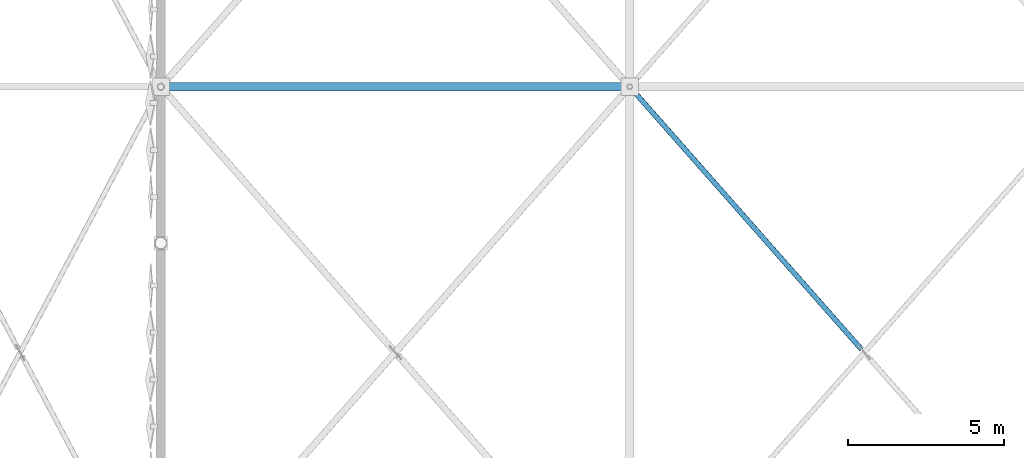
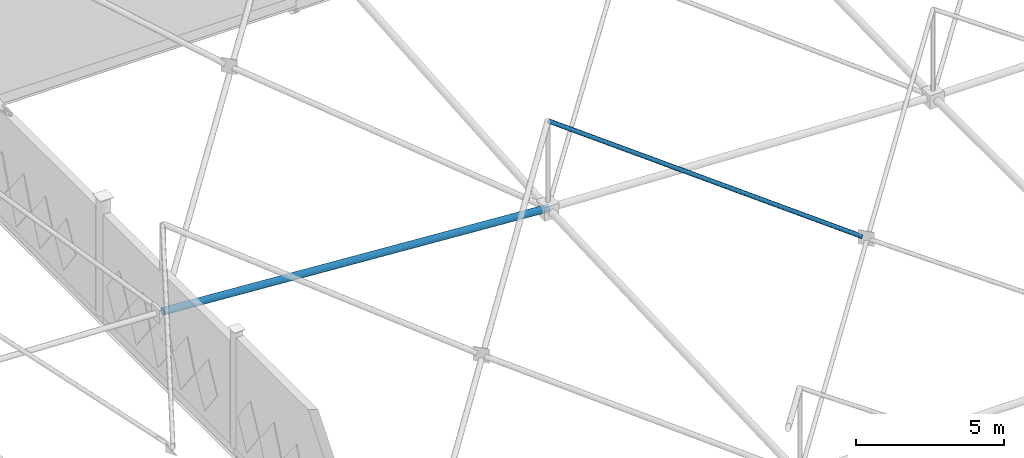
# One storey, part 73 of 224: 2 members.
"""IFC4 building model written with IfcOpenShell, lengths in metres."""

import ifcopenshell
import ifcopenshell.guid

model = None  # the IFC model being written
_history = None  # IfcOwnerHistory: only IFC2X3 demands one
_inside = {}  # id of a spatial element -> (the spatial element, [elements in it])
_under = {}  # id of a project, library or spatial element -> (it, [spatial elements below it])
_declared = {}  # id of a project -> (the project, [libraries it declares])
_typed = {}  # id of a type object -> (the type object, [elements of that type])
_made_of = {}  # id of a material, layer set ... -> (it, [elements and type objects made of it])


def new_model(schema):
    """Start an empty IFC model of exactly this schema.

    Asked for "IFC4X3", IfcOpenShell would pick the latest addendum, in which some entities
    have other attributes; the version numbers below select the first issue.
    IFC2X3 requires an IfcOwnerHistory on every rooted entity: one is made here for all.
    """
    global model, _history
    if schema == "IFC4X3":
        model = ifcopenshell.file(schema_version=(4, 3, 0, 0))
    else:
        model = ifcopenshell.file(schema=schema)
    _inside.clear()
    _under.clear()
    _declared.clear()
    _typed.clear()
    _made_of.clear()
    _history = None
    if model.schema == "IFC2X3":
        org = make("IfcOrganization", Name="unknown")
        user = make(
            "IfcPersonAndOrganization",
            ThePerson=make("IfcPerson", FamilyName="unknown"),
            TheOrganization=org,
        )
        app = make(
            "IfcApplication",
            ApplicationDeveloper=org,
            Version="unknown",
            ApplicationFullName="unknown",
            ApplicationIdentifier="unknown",
        )
        _history = make(
            "IfcOwnerHistory",
            OwningUser=user,
            OwningApplication=app,
            ChangeAction="ADDED",
            CreationDate=0,
        )
    return model


def make(cls, **values):
    """One entity of the class cls with the attributes given. An attribute that is None is left unset."""
    return model.create_entity(
        cls, **{name: value for name, value in values.items() if value is not None}
    )


def rooted(cls, **values):
    """An entity with a GlobalId (a new one), such as an element, a storey or a relation."""
    return make(cls, GlobalId=ifcopenshell.guid.new(), OwnerHistory=_history, **values)


def si_unit(unit_type, name, prefix=None):
    """IfcSIUnit, for example si_unit("LENGTHUNIT", "METRE", prefix="MILLI")."""
    return make("IfcSIUnit", UnitType=unit_type, Prefix=prefix, Name=name)


def assignment(units):
    """IfcUnitAssignment: the units of a project."""
    return None if units is None else make("IfcUnitAssignment", Units=units)


def point(xyz):
    """IfcCartesianPoint."""
    return None if xyz is None else make("IfcCartesianPoint", Coordinates=xyz)


def direction(xyz):
    """IfcDirection."""
    return None if xyz is None else make("IfcDirection", DirectionRatios=xyz)


def frame(location, z_axis=None, x_axis=None):
    """IfcAxis2Placement3D, a coordinate frame: its origin and axes. An axis left out is left unset."""
    return make(
        "IfcAxis2Placement3D",
        Location=point(location),
        Axis=direction(z_axis),
        RefDirection=direction(x_axis),
    )


def frame_2d(location, x_axis=None):
    """IfcAxis2Placement2D, a coordinate frame in the plane: its origin and x axis."""
    return make(
        "IfcAxis2Placement2D", Location=point(location), RefDirection=direction(x_axis)
    )


def origin():
    """The frame at (0, 0, 0) with its axes left unset."""
    return frame((0.0, 0.0, 0.0))


def origin_2d():
    """The frame at (0, 0) in the plane with its x axis left unset."""
    return frame_2d((0.0, 0.0))


def place(relative_to, where):
    """IfcLocalPlacement: puts the frame where relative to a parent placement (None: the world)."""
    return make(
        "IfcLocalPlacement", PlacementRelTo=relative_to, RelativePlacement=where
    )


def context(
    kind, dimensions, precision=None, world=None, true_north=None, identifier=None
):
    """IfcGeometricRepresentationContext, for example the 3D "Model" context."""
    return make(
        "IfcGeometricRepresentationContext",
        ContextIdentifier=identifier,
        ContextType=kind,
        CoordinateSpaceDimension=dimensions,
        Precision=precision,
        WorldCoordinateSystem=world,
        TrueNorth=true_north,
    )


def subcontext(parent, identifier, kind, view, scale=None):
    """IfcGeometricRepresentationSubContext, for example "Body" below "Model"."""
    return make(
        "IfcGeometricRepresentationSubContext",
        ContextIdentifier=identifier,
        ContextType=kind,
        ParentContext=parent,
        TargetScale=scale,
        TargetView=view,
    )


def project(units=None, contexts=None):
    """IfcProject with its units and contexts."""
    return rooted(
        "IfcProject",
        Name="project",
        RepresentationContexts=contexts,
        UnitsInContext=assignment(units),
    )


def spatial(cls, under=None, at=None, **own):
    """A site, building, storey or space (cls), placed at a placement, below another one or the project."""
    s = rooted(cls, ObjectPlacement=at, **own)
    if under is not None:
        _under.setdefault(under.id(), (under, []))[1].append(s)
    return s


def profile(cls, at=None, kind="AREA", **sizes):
    """A parametric profile (cls). Its sizes go by their IFC names, for example OverallWidth=200.0."""
    return make(cls, ProfileType=kind, Position=at, **sizes)


def hollow_circle(**sizes):
    """IfcCircleHollowProfileDef."""
    return profile("IfcCircleHollowProfileDef", **sizes)


def extrude(swept, where, along, depth):
    """IfcExtrudedAreaSolid: the profile swept, set in the frame where, extruded along a direction by depth."""
    return make(
        "IfcExtrudedAreaSolid",
        SweptArea=swept,
        Position=where,
        ExtrudedDirection=direction(along),
        Depth=depth,
    )


def shape(context_of_items, identifier, shape_type, items):
    """IfcShapeRepresentation: the items that make up one representation, for example the "Body"."""
    return make(
        "IfcShapeRepresentation",
        ContextOfItems=context_of_items,
        RepresentationIdentifier=identifier,
        RepresentationType=shape_type,
        Items=items,
    )


def material(Name=None, Category=None):
    """IfcMaterial."""
    return make("IfcMaterial", Name=Name, Category=Category)


def material_profile(
    of_material, cross_section, Name=None, Category=None, Priority=None
):
    """IfcMaterialProfile: a cross section and its material."""
    return make(
        "IfcMaterialProfile",
        Name=Name,
        Material=of_material,
        Profile=cross_section,
        Priority=Priority,
        Category=Category,
    )


def profile_set(profiles, Name=None, composite=None):
    """IfcMaterialProfileSet."""
    return make(
        "IfcMaterialProfileSet",
        Name=Name,
        MaterialProfiles=profiles,
        CompositeProfile=composite,
    )


def made_of(thing, what):
    """Note that an element or type object is made of a material, layer set ...; save() writes the relation."""
    if what is not None:
        _made_of.setdefault(what.id(), (what, []))[1].append(thing)
    return thing


def type_object(cls, material=None, **own):
    """A type object (cls), such as IfcWallType, which elements share."""
    return made_of(rooted(cls, **own), material)


def element(
    cls,
    number,
    at=None,
    inside=None,
    cuts=None,
    type_object=None,
    material=None,
    context=None,
    identifier="Body",
    shape_type=None,
    held_by="IfcProductDefinitionShape",
    body=None,
    shapes=None,
    **own,
):
    """One element of the class cls, such as IfcWall. Its Tag is "e" and its number.

    at: its placement. inside: the storey or other place that contains it. cuts: it is an
    opening in that element (IfcRelVoidsElement). A single representation is given by context,
    identifier, shape_type and body (its items); several are given by shapes. held_by: the class
    of the entity that holds the representations. save() writes the other relations.
    """
    e = rooted(cls, Tag="e%d" % number, ObjectPlacement=at, **own)
    if body is not None:
        shapes = [shape(context, identifier, shape_type, body)]
    if shapes is not None:
        e.Representation = make(held_by, Representations=shapes)
    if inside is not None:
        _inside.setdefault(inside.id(), (inside, []))[1].append(e)
    if cuts is not None:
        rooted(
            "IfcRelVoidsElement", RelatingBuildingElement=cuts, RelatedOpeningElement=e
        )
    if type_object is not None:
        _typed.setdefault(type_object.id(), (type_object, []))[1].append(e)
    return made_of(e, material)


def aggregate(whole, parts):
    """IfcRelAggregates: a whole, such as a stair, and the parts it consists of."""
    return rooted("IfcRelAggregates", RelatingObject=whole, RelatedObjects=parts)


def save(model, path):
    """Write the relations noted so far, then the file.

    IfcRelAggregates (storeys below a building ...), IfcRelContainedInSpatialStructure (elements
    in a storey), IfcRelDefinesByType, IfcRelAssociatesMaterial and IfcRelDeclares: one each for
    every whole, place, type object, material and project.
    """
    for whole, parts in _under.values():
        aggregate(whole, parts)
    for where, things in _inside.values():
        rooted(
            "IfcRelContainedInSpatialStructure",
            RelatedElements=things,
            RelatingStructure=where,
        )
    for kind, things in _typed.values():
        rooted("IfcRelDefinesByType", RelatedObjects=things, RelatingType=kind)
    for what, things in _made_of.values():
        rooted("IfcRelAssociatesMaterial", RelatedObjects=things, RelatingMaterial=what)
    for by, libraries in _declared.values():
        rooted("IfcRelDeclares", RelatingContext=by, RelatedDefinitions=libraries)
    model.write(path)


model = new_model("IFC4")

# Units and contexts
model_context = context("Model", 3, precision=1e-05, world=origin(), true_north=direction((0.0, 1.0)))
body_context = subcontext(model_context, "Body", "Model", "MODEL_VIEW")
ifc_project = project(units=[si_unit("LENGTHUNIT", "METRE"), si_unit("AREAUNIT", "SQUARE_METRE"), si_unit("VOLUMEUNIT", "CUBIC_METRE"), si_unit("PLANEANGLEUNIT", "RADIAN"), si_unit("MASSUNIT", "GRAM", prefix="KILO")], contexts=[model_context])

# Site, building, storey
site_placement = place(None, origin())
site = spatial("IfcSite", under=ifc_project, at=site_placement, CompositionType="ELEMENT")
building_placement = place(site_placement, origin())
building = spatial("IfcBuilding", under=site, at=building_placement, Name="Qamarlyn Nura Convention Centre", CompositionType="ELEMENT")
storey_placement = place(building_placement, frame((0.0, 0.0, 10.800048828125)))
storey = spatial("IfcBuildingStorey", under=building, at=storey_placement, Name="L02", CompositionType="ELEMENT", Elevation=10.800048828125)

# Members
ifc_material = material(Name="Pearl-white PVDF steel ASTM A500 Grade C", Category="steel")
ifc_material_profile_1 = material_profile(ifc_material, hollow_circle(Radius=0.136474609375, WallThickness=0.012451171875, at=origin_2d()), Name="CHS273X12.5")
ifc_profile_set_1 = profile_set([ifc_material_profile_1], Name="Pearl-white PVDF steel ASTM A500 Grade C")
member_type_1 = type_object("IfcMemberType", Name="SF-BC-MAIN", PredefinedType="CHORD", material=ifc_profile_set_1)
member_1_placement = place(storey_placement, frame((0.0, 86.0, 2.483642578125), z_axis=(0.997771123533, 0.0, -0.066729191839), x_axis=(0.0, 1.0, 0.0)))
element("IfcMember", 1, at=member_1_placement, inside=storey, type_object=member_type_1, Name="ROOF TRUSS space frame bottom chord X2-6", PredefinedType="CHORD", context=body_context, shape_type="SweptSolid", body=[
    extrude(hollow_circle(Radius=0.136474609375, WallThickness=0.012451171875, at=origin_2d()), origin(), (0.0, 0.0, 1.0), 15.033447265625),
])
ifc_material_profile_2 = material_profile(ifc_material, hollow_circle(Radius=0.084228515625, WallThickness=0.008056640625, at=origin_2d()), Name="CHS168.3X8")
ifc_profile_set_2 = profile_set([ifc_material_profile_2], Name="Pearl-white PVDF steel ASTM A500 Grade C")
member_type_2 = type_object("IfcMemberType", Name="SF-WEB-STD", PredefinedType="BRACE", material=ifc_profile_set_2)
member_2_placement = place(storey_placement, frame((22.408935546875, 77.603271484375, 2.8037109375), z_axis=(-0.648358306308, 0.734800383196, 0.199248346282), x_axis=(-0.749835310382, -0.66162452139, 0.0)))
element("IfcMember", 2, at=member_2_placement, inside=storey, type_object=member_type_2, Name="ROOF TRUSS space frame split diagonal B2 3-5", PredefinedType="BRACE", context=body_context, shape_type="SweptSolid", body=[
    extrude(hollow_circle(Radius=0.084228515625, WallThickness=0.008056640625, at=origin_2d()), origin(), (0.0, 0.0, 1.0), 11.42724609375),
])

save(model, "model.ifc")
